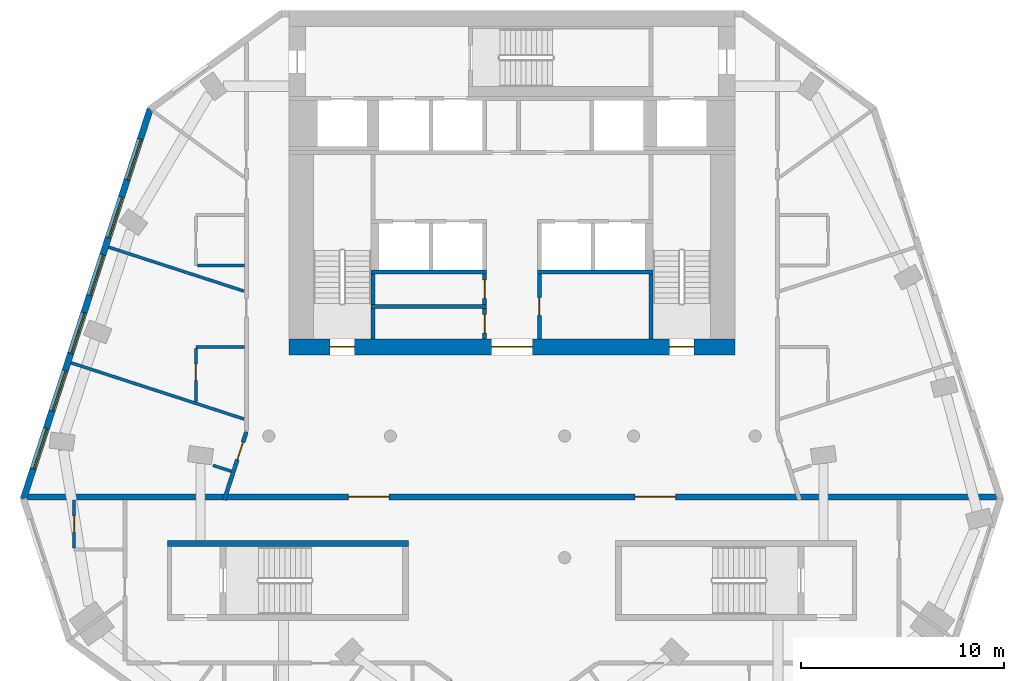
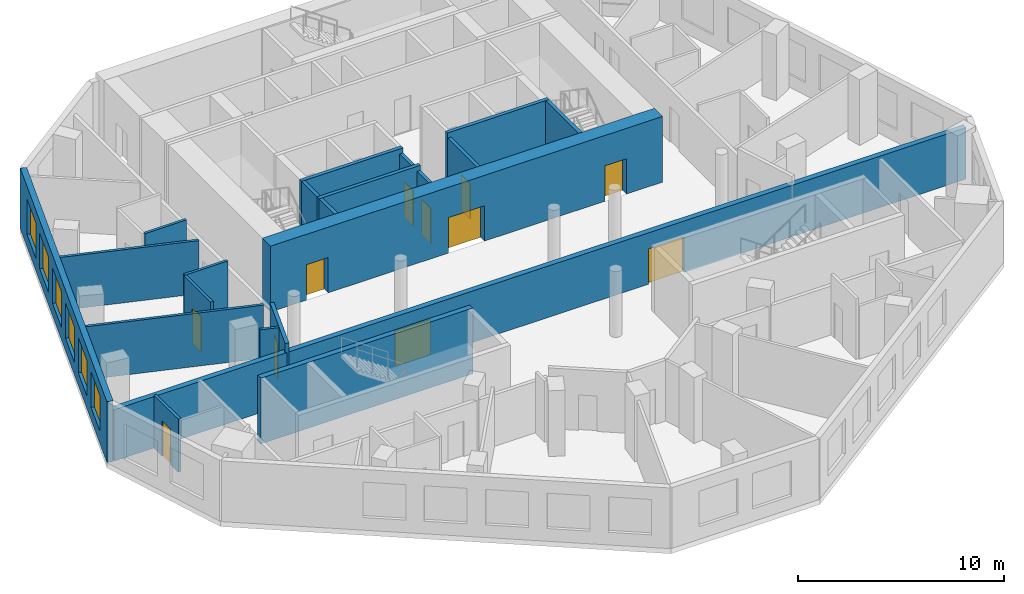
# One storey, part 3 of 9: 21 walls, 11 doors, 6 windows, 17 openings.
"""IFC4 building model written with IfcOpenShell, lengths in metres."""

from ifc_helpers import new_model, si_unit, direction, frame, frame_2d, origin, place, context, subcontext, project, spatial, rectangle, extrude, material, layer, layer_set, type_object, element, fill, save


model = new_model("IFC4")

# Units and contexts
model_context = context("Model", 3, precision=1e-05, world=origin(), true_north=direction((0.0, 1.0)))
body_context = subcontext(model_context, "Body", "Model", "MODEL_VIEW")
ifc_project = project(units=[si_unit("LENGTHUNIT", "METRE"), si_unit("AREAUNIT", "SQUARE_METRE"), si_unit("VOLUMEUNIT", "CUBIC_METRE"), si_unit("PLANEANGLEUNIT", "RADIAN"), si_unit("MASSUNIT", "GRAM", prefix="KILO")], contexts=[model_context])

# Site, building, storey
site_placement = place(None, origin())
site = spatial("IfcSite", under=ifc_project, at=site_placement, CompositionType="ELEMENT")
building_placement = place(site_placement, origin())
building = spatial("IfcBuilding", under=site, at=building_placement, Name="White Candle Pilgrim Tower", CompositionType="ELEMENT")
storey_placement = place(building_placement, frame((0.0, 0.0, 235.5)))
storey = spatial("IfcBuildingStorey", under=building, at=storey_placement, Name="L55", CompositionType="ELEMENT", Elevation=235.5)

# Wall, opening, door
ifc_material_1 = material(Name="Gypsum board on steel studs", Category="steel")
ifc_layer_1 = layer(ifc_material_1, 0.199951171875)
ifc_layer_set_1 = layer_set([ifc_layer_1], Name="Corridor wall 200 mm EI 45")
wall_type_1 = type_object("IfcWallType", Name="Corridor wall 200 mm EI 45", PredefinedType="PARTITIONING", material=ifc_layer_set_1)
wall_1_placement = place(storey_placement, frame((55.802978515625, 63.85009765625, 0.0), z_axis=(0.0, 0.0, 1.0), x_axis=(0.309026709141, 0.951053359721, 0.0)))
wall_1 = element("IfcWall", 1, at=wall_1_placement, inside=storey, type_object=wall_type_1, Name="WL-L55-P002", PredefinedType="PARTITIONING", context=body_context, shape_type="SweptSolid", body=[
    extrude(rectangle(XDim=3.53369140625, YDim=0.199951171875, at=frame_2d((1.766845703125, 0.0))), origin(), (0.0, 0.0, 1.0), 3.60009765625),
])
opening_1_placement = place(wall_1_placement, frame((2.091796875, 0.0, 0.0)))
opening_1 = element("IfcOpeningElement", 2, at=opening_1_placement, cuts=wall_1, Name="Opening T17-119", PredefinedType="OPENING", context=body_context, shape_type="SweptSolid", body=[
    extrude(rectangle(XDim=0.89990234375, YDim=2.10009765625, at=frame_2d((0.449951171875, 1.050048828125))), frame((0.0, 0.10986328125, 0.0), z_axis=(0.0, -1.0, 0.0), x_axis=(1.0, 0.0, 0.0)), (0.0, 0.0, 1.0), 0.219970703125),
])
ifc_material_2 = material(Name="Steel door leaf", Category="steel")
door_type_1 = type_object("IfcDoorType", Name="Fire door 900 x 2100 EI 30", OperationType="NOTDEFINED", PredefinedType="DOOR", material=ifc_material_2)
door_1_placement = place(opening_1_placement, origin())
door_1 = element("IfcDoor", 3, at=door_1_placement, inside=storey, type_object=door_type_1, Name="Door T17-119", OperationType="SINGLE_SWING_LEFT", OverallHeight=2.10009765625, OverallWidth=0.89990234375, PredefinedType="DOOR", context=body_context, shape_type="SweptSolid", body=[
    extrude(rectangle(XDim=0.89990234375, YDim=2.10009765625, at=frame_2d((0.449951171875, 1.050048828125))), frame((0.0, 0.02490234375, 0.0), z_axis=(0.0, -1.0, 0.0), x_axis=(1.0, 0.0, 0.0)), (0.0, 0.0, 1.0), 0.050048828125),
])
fill(opening_1, door_1)

# Wall, openings, windows
ifc_material_3 = material(Name="Precast concrete C40/50", Category="concrete")
ifc_layer_2 = layer(ifc_material_3, 0.320068359375)
ifc_layer_set_2 = layer_set([ifc_layer_2], Name="Facade wall EW1 precast concrete C40/50 pier wall with timber-lined reveals")
wall_type_2 = type_object("IfcWallType", Name="Facade wall EW1 precast concrete C40/50 pier wall with timber-lined reveals", PredefinedType="SOLIDWALL", material=ifc_layer_set_2)
wall_2_placement = place(storey_placement, frame((52.14453125, 83.138916015625, 0.0), z_axis=(0.0, 0.0, 1.0), x_axis=(-0.309017027312, -0.951056505593, 0.0)))
wall_2 = element("IfcWall", 4, at=wall_2_placement, inside=storey, type_object=wall_type_2, Name="Facade wall L55 WNW", PredefinedType="SOLIDWALL", context=body_context, shape_type="SweptSolid", body=[
    extrude(rectangle(XDim=20.228515625, YDim=0.320068359375, at=frame_2d((10.1142578125, 0.0))), origin(), (0.0, 0.0, 1.0), 3.60009765625),
])
opening_2_placement = place(wall_2_placement, frame((1.564453125, 0.0, 0.75)))
opening_2 = element("IfcOpeningElement", 5, at=opening_2_placement, cuts=wall_2, Name="Opening W3", PredefinedType="OPENING", context=body_context, shape_type="SweptSolid", body=[
    extrude(rectangle(XDim=2.10009765625, YDim=2.10009765625, at=frame_2d((1.050048828125, 1.050048828125))), frame((0.0, 0.169921875, 0.0), z_axis=(0.0, -1.0, 0.0), x_axis=(1.0, 0.0, 0.0)), (0.0, 0.0, 1.0), 0.340087890625),
])
opening_3_placement = place(wall_2_placement, frame((4.564453125, 0.0, 0.75)))
opening_3 = element("IfcOpeningElement", 6, at=opening_3_placement, cuts=wall_2, Name="Opening W3", PredefinedType="OPENING", context=body_context, shape_type="SweptSolid", body=[
    extrude(rectangle(XDim=2.10009765625, YDim=2.10009765625, at=frame_2d((1.050048828125, 1.050048828125))), frame((0.0, 0.169921875, 0.0), z_axis=(0.0, -1.0, 0.0), x_axis=(1.0, 0.0, 0.0)), (0.0, 0.0, 1.0), 0.340087890625),
])
opening_4_placement = place(wall_2_placement, frame((7.564453125, 0.0, 0.75)))
opening_4 = element("IfcOpeningElement", 7, at=opening_4_placement, cuts=wall_2, Name="Opening W3", PredefinedType="OPENING", context=body_context, shape_type="SweptSolid", body=[
    extrude(rectangle(XDim=2.10009765625, YDim=2.10009765625, at=frame_2d((1.050048828125, 1.050048828125))), frame((0.0, 0.169921875, 0.0), z_axis=(0.0, -1.0, 0.0), x_axis=(1.0, 0.0, 0.0)), (0.0, 0.0, 1.0), 0.340087890625),
])
opening_5_placement = place(wall_2_placement, frame((10.564453125, 0.0, 0.75)))
opening_5 = element("IfcOpeningElement", 8, at=opening_5_placement, cuts=wall_2, Name="Opening W3", PredefinedType="OPENING", context=body_context, shape_type="SweptSolid", body=[
    extrude(rectangle(XDim=2.10009765625, YDim=2.10009765625, at=frame_2d((1.050048828125, 1.050048828125))), frame((0.0, 0.169921875, 0.0), z_axis=(0.0, -1.0, 0.0), x_axis=(1.0, 0.0, 0.0)), (0.0, 0.0, 1.0), 0.340087890625),
])
opening_6_placement = place(wall_2_placement, frame((13.564453125, 0.0, 0.75)))
opening_6 = element("IfcOpeningElement", 9, at=opening_6_placement, cuts=wall_2, Name="Opening W3", PredefinedType="OPENING", context=body_context, shape_type="SweptSolid", body=[
    extrude(rectangle(XDim=2.10009765625, YDim=2.10009765625, at=frame_2d((1.050048828125, 1.050048828125))), frame((0.0, 0.169921875, 0.0), z_axis=(0.0, -1.0, 0.0), x_axis=(1.0, 0.0, 0.0)), (0.0, 0.0, 1.0), 0.340087890625),
])
opening_7_placement = place(wall_2_placement, frame((16.564453125, 0.0, 0.75)))
opening_7 = element("IfcOpeningElement", 10, at=opening_7_placement, cuts=wall_2, Name="Opening W3", PredefinedType="OPENING", context=body_context, shape_type="SweptSolid", body=[
    extrude(rectangle(XDim=2.10009765625, YDim=2.10009765625, at=frame_2d((1.050048828125, 1.050048828125))), frame((0.0, 0.169921875, 0.0), z_axis=(0.0, -1.0, 0.0), x_axis=(1.0, 0.0, 0.0)), (0.0, 0.0, 1.0), 0.340087890625),
])
ifc_material_4 = material(Name="Timber frame with triple glazing", Category="wood")
window_type = type_object("IfcWindowType", Name="Window W3 2100x2100 timber frame triple glazing", PartitioningType="SINGLE_PANEL", PredefinedType="WINDOW", material=ifc_material_4)
window_1_placement = place(opening_2_placement, origin())
window_1 = element("IfcWindow", 11, at=window_1_placement, inside=storey, type_object=window_type, Name="Window W3 L55 WNW 1", OverallHeight=2.10009765625, OverallWidth=2.10009765625, PartitioningType="SINGLE_PANEL", PredefinedType="WINDOW", context=body_context, shape_type="SweptSolid", body=[
    extrude(rectangle(XDim=2.10009765625, YDim=2.10009765625, at=frame_2d((1.050048828125, 1.050048828125))), frame((0.0, 0.070068359375, 0.0), z_axis=(0.0, -1.0, 0.0), x_axis=(1.0, 0.0, 0.0)), (0.0, 0.0, 1.0), 0.06005859375),
])
fill(opening_2, window_1)
window_2_placement = place(opening_3_placement, origin())
window_2 = element("IfcWindow", 12, at=window_2_placement, inside=storey, type_object=window_type, Name="Window W3 L55 WNW 2", OverallHeight=2.10009765625, OverallWidth=2.10009765625, PartitioningType="SINGLE_PANEL", PredefinedType="WINDOW", context=body_context, shape_type="SweptSolid", body=[
    extrude(rectangle(XDim=2.10009765625, YDim=2.10009765625, at=frame_2d((1.050048828125, 1.050048828125))), frame((0.0, 0.070068359375, 0.0), z_axis=(0.0, -1.0, 0.0), x_axis=(1.0, 0.0, 0.0)), (0.0, 0.0, 1.0), 0.06005859375),
])
fill(opening_3, window_2)
window_3_placement = place(opening_4_placement, origin())
window_3 = element("IfcWindow", 13, at=window_3_placement, inside=storey, type_object=window_type, Name="Window W3 L55 WNW 3", OverallHeight=2.10009765625, OverallWidth=2.10009765625, PartitioningType="SINGLE_PANEL", PredefinedType="WINDOW", context=body_context, shape_type="SweptSolid", body=[
    extrude(rectangle(XDim=2.10009765625, YDim=2.10009765625, at=frame_2d((1.050048828125, 1.050048828125))), frame((0.0, 0.070068359375, 0.0), z_axis=(0.0, -1.0, 0.0), x_axis=(1.0, 0.0, 0.0)), (0.0, 0.0, 1.0), 0.06005859375),
])
fill(opening_4, window_3)
window_4_placement = place(opening_5_placement, origin())
window_4 = element("IfcWindow", 14, at=window_4_placement, inside=storey, type_object=window_type, Name="Window W3 L55 WNW 4", OverallHeight=2.10009765625, OverallWidth=2.10009765625, PartitioningType="SINGLE_PANEL", PredefinedType="WINDOW", context=body_context, shape_type="SweptSolid", body=[
    extrude(rectangle(XDim=2.10009765625, YDim=2.10009765625, at=frame_2d((1.050048828125, 1.050048828125))), frame((0.0, 0.070068359375, 0.0), z_axis=(0.0, -1.0, 0.0), x_axis=(1.0, 0.0, 0.0)), (0.0, 0.0, 1.0), 0.06005859375),
])
fill(opening_5, window_4)
window_5_placement = place(opening_6_placement, origin())
window_5 = element("IfcWindow", 15, at=window_5_placement, inside=storey, type_object=window_type, Name="Window W3 L55 WNW 5", OverallHeight=2.10009765625, OverallWidth=2.10009765625, PartitioningType="SINGLE_PANEL", PredefinedType="WINDOW", context=body_context, shape_type="SweptSolid", body=[
    extrude(rectangle(XDim=2.10009765625, YDim=2.10009765625, at=frame_2d((1.050048828125, 1.050048828125))), frame((0.0, 0.070068359375, 0.0), z_axis=(0.0, -1.0, 0.0), x_axis=(1.0, 0.0, 0.0)), (0.0, 0.0, 1.0), 0.06005859375),
])
fill(opening_6, window_5)
window_6_placement = place(opening_7_placement, origin())
window_6 = element("IfcWindow", 16, at=window_6_placement, inside=storey, type_object=window_type, Name="Window W3 L55 WNW 6", OverallHeight=2.10009765625, OverallWidth=2.10009765625, PartitioningType="SINGLE_PANEL", PredefinedType="WINDOW", context=body_context, shape_type="SweptSolid", body=[
    extrude(rectangle(XDim=2.10009765625, YDim=2.10009765625, at=frame_2d((1.050048828125, 1.050048828125))), frame((0.0, 0.070068359375, 0.0), z_axis=(0.0, -1.0, 0.0), x_axis=(1.0, 0.0, 0.0)), (0.0, 0.0, 1.0), 0.06005859375),
])
fill(opening_7, window_6)

# Wall, openings, doors
ifc_material_5 = material(Name="Aerated concrete block", Category="concrete")
ifc_layer_3 = layer(ifc_material_5, 0.300048828125)
ifc_layer_set_3 = layer_set([ifc_layer_3], Name="Fire wall 300 mm REI 240")
wall_type_3 = type_object("IfcWallType", Name="Fire wall 300 mm REI 240", PredefinedType="PARTITIONING", material=ifc_layer_set_3)
wall_3_placement = place(storey_placement, frame((46.09423828125, 64.0, 0.0), z_axis=(0.0, 0.0, 1.0), x_axis=(1.0, 0.0, 0.0)))
wall_3 = element("IfcWall", 17, at=wall_3_placement, inside=storey, type_object=wall_type_3, Name="WL-L55-P001", PredefinedType="PARTITIONING", context=body_context, shape_type="SweptSolid", body=[
    extrude(rectangle(XDim=47.8115234375, YDim=0.300048828125, at=frame_2d((23.90576171875, 0.0))), origin(), (0.0, 0.0, 1.0), 3.050048828125),
])
opening_8_placement = place(wall_3_placement, frame((15.831787109375, 0.0, 0.0)))
opening_8 = element("IfcOpeningElement", 18, at=opening_8_placement, cuts=wall_3, Name="Opening T17-117", PredefinedType="OPENING", context=body_context, shape_type="SweptSolid", body=[
    extrude(rectangle(XDim=2.0, YDim=2.10009765625, at=frame_2d((1.0, 1.050048828125))), frame((0.0, 0.159912109375, 0.0), z_axis=(0.0, -1.0, 0.0), x_axis=(1.0, 0.0, 0.0)), (0.0, 0.0, 1.0), 0.320068359375),
])
opening_9_placement = place(wall_3_placement, frame((29.97998046875, 0.0, 0.0)))
opening_9 = element("IfcOpeningElement", 19, at=opening_9_placement, cuts=wall_3, Name="Opening T17-118", PredefinedType="OPENING", context=body_context, shape_type="SweptSolid", body=[
    extrude(rectangle(XDim=2.0, YDim=2.10009765625, at=frame_2d((1.0, 1.050048828125))), frame((0.0, 0.159912109375, 0.0), z_axis=(0.0, -1.0, 0.0), x_axis=(1.0, 0.0, 0.0)), (0.0, 0.0, 1.0), 0.320068359375),
])
door_type_2 = type_object("IfcDoorType", Name="Fire door 2000 x 2100 EI 60", OperationType="NOTDEFINED", PredefinedType="DOOR", material=ifc_material_2)
door_2_placement = place(opening_8_placement, origin())
door_2 = element("IfcDoor", 20, at=door_2_placement, inside=storey, type_object=door_type_2, Name="Door T17-117", OperationType="DOUBLE_DOOR_SINGLE_SWING", OverallHeight=2.10009765625, OverallWidth=2.0, PredefinedType="DOOR", context=body_context, shape_type="SweptSolid", body=[
    extrude(rectangle(XDim=2.0, YDim=2.10009765625, at=frame_2d((1.0, 1.050048828125))), frame((0.0, 0.02490234375, 0.0), z_axis=(0.0, -1.0, 0.0), x_axis=(1.0, 0.0, 0.0)), (0.0, 0.0, 1.0), 0.050048828125),
])
fill(opening_8, door_2)
door_3_placement = place(opening_9_placement, origin())
door_3 = element("IfcDoor", 21, at=door_3_placement, inside=storey, type_object=door_type_2, Name="Door T17-118", OperationType="DOUBLE_DOOR_SINGLE_SWING", OverallHeight=2.10009765625, OverallWidth=2.0, PredefinedType="DOOR", context=body_context, shape_type="SweptSolid", body=[
    extrude(rectangle(XDim=2.0, YDim=2.10009765625, at=frame_2d((1.0, 1.050048828125))), frame((0.0, 0.02490234375, 0.0), z_axis=(0.0, -1.0, 0.0), x_axis=(1.0, 0.0, 0.0)), (0.0, 0.0, 1.0), 0.050048828125),
])
fill(opening_9, door_3)

# Wall, opening, door
ifc_layer_4 = layer(ifc_material_1, 0.199951171875)
ifc_layer_set_4 = layer_set([ifc_layer_4], Name="Lobby wall 200 mm EI 60")
wall_type_4 = type_object("IfcWallType", Name="Lobby wall 200 mm EI 60", PredefinedType="PARTITIONING", material=ifc_layer_set_4)
wall_4_placement = place(storey_placement, frame((68.64990234375, 71.800048828125, 0.0), z_axis=(0.0, 0.0, 1.0), x_axis=(0.0, 1.0, 0.0)))
wall_4 = element("IfcWall", 22, at=wall_4_placement, inside=storey, type_object=wall_type_4, Name="WL-L55-C14", PredefinedType="PARTITIONING", context=body_context, shape_type="SweptSolid", body=[
    extrude(rectangle(XDim=1.5, YDim=0.199951171875, at=frame_2d((0.75, 0.0))), origin(), (0.0, 0.0, 1.0), 3.60009765625),
])
opening_10_placement = place(wall_4_placement, frame((0.300048828125, 0.0, 0.0)))
opening_10 = element("IfcOpeningElement", 23, at=opening_10_placement, cuts=wall_4, Name="Opening T17-005", PredefinedType="OPENING", context=body_context, shape_type="SweptSolid", body=[
    extrude(rectangle(XDim=0.89990234375, YDim=2.10009765625, at=frame_2d((0.449951171875, 1.050048828125))), frame((0.0, 0.10986328125, 0.0), z_axis=(0.0, -1.0, 0.0), x_axis=(1.0, 0.0, 0.0)), (0.0, 0.0, 1.0), 0.219970703125),
])
door_4_placement = place(opening_10_placement, origin())
door_4 = element("IfcDoor", 24, at=door_4_placement, inside=storey, type_object=door_type_1, Name="Door T17-005", OperationType="SINGLE_SWING_LEFT", OverallHeight=2.10009765625, OverallWidth=0.89990234375, PredefinedType="DOOR", context=body_context, shape_type="SweptSolid", body=[
    extrude(rectangle(XDim=0.89990234375, YDim=2.10009765625, at=frame_2d((0.449951171875, 1.050048828125))), frame((0.0, 0.02490234375, 0.0), z_axis=(0.0, -1.0, 0.0), x_axis=(1.0, 0.0, 0.0)), (0.0, 0.0, 1.0), 0.050048828125),
])
fill(opening_10, door_4)

wall_5_placement = place(storey_placement, frame((71.35009765625, 71.800048828125, 0.0), z_axis=(0.0, 0.0, 1.0), x_axis=(0.0, 1.0, 0.0)))
wall_5 = element("IfcWall", 25, at=wall_5_placement, inside=storey, type_object=wall_type_4, Name="WL-L55-C15", PredefinedType="PARTITIONING", context=body_context, shape_type="SweptSolid", body=[
    extrude(rectangle(XDim=3.199951171875, YDim=0.199951171875, at=frame_2d((1.60009765625, 0.0))), origin(), (0.0, 0.0, 1.0), 3.60009765625),
])
opening_11_placement = place(wall_5_placement, frame((1.14990234375, 0.0, 0.0)))
opening_11 = element("IfcOpeningElement", 26, at=opening_11_placement, cuts=wall_5, Name="Opening T17-007", PredefinedType="OPENING", context=body_context, shape_type="SweptSolid", body=[
    extrude(rectangle(XDim=0.89990234375, YDim=2.10009765625, at=frame_2d((0.449951171875, 1.050048828125))), frame((0.0, 0.10986328125, 0.0), z_axis=(0.0, -1.0, 0.0), x_axis=(1.0, 0.0, 0.0)), (0.0, 0.0, 1.0), 0.219970703125),
])
door_5_placement = place(opening_11_placement, origin())
door_5 = element("IfcDoor", 27, at=door_5_placement, inside=storey, type_object=door_type_1, Name="Door T17-007", OperationType="SINGLE_SWING_LEFT", OverallHeight=2.10009765625, OverallWidth=0.89990234375, PredefinedType="DOOR", context=body_context, shape_type="SweptSolid", body=[
    extrude(rectangle(XDim=0.89990234375, YDim=2.10009765625, at=frame_2d((0.449951171875, 1.050048828125))), frame((0.0, 0.02490234375, 0.0), z_axis=(0.0, -1.0, 0.0), x_axis=(1.0, 0.0, 0.0)), (0.0, 0.0, 1.0), 0.050048828125),
])
fill(opening_11, door_5)

wall_6_placement = place(storey_placement, frame((68.64990234375, 73.5, 0.0), z_axis=(0.0, 0.0, 1.0), x_axis=(0.0, 1.0, 0.0)))
wall_6 = element("IfcWall", 28, at=wall_6_placement, inside=storey, type_object=wall_type_4, Name="WL-L55-C20", PredefinedType="PARTITIONING", context=body_context, shape_type="SweptSolid", body=[
    extrude(rectangle(XDim=1.5, YDim=0.199951171875, at=frame_2d((0.75, 0.0))), origin(), (0.0, 0.0, 1.0), 3.60009765625),
])
opening_12_placement = place(wall_6_placement, frame((0.300048828125, 0.0, 0.0)))
opening_12 = element("IfcOpeningElement", 29, at=opening_12_placement, cuts=wall_6, Name="Opening T17-006", PredefinedType="OPENING", context=body_context, shape_type="SweptSolid", body=[
    extrude(rectangle(XDim=0.89990234375, YDim=2.10009765625, at=frame_2d((0.449951171875, 1.050048828125))), frame((0.0, 0.10986328125, 0.0), z_axis=(0.0, -1.0, 0.0), x_axis=(1.0, 0.0, 0.0)), (0.0, 0.0, 1.0), 0.219970703125),
])
door_6_placement = place(opening_12_placement, origin())
door_6 = element("IfcDoor", 30, at=door_6_placement, inside=storey, type_object=door_type_1, Name="Door T17-006", OperationType="SINGLE_SWING_RIGHT", OverallHeight=2.10009765625, OverallWidth=0.89990234375, PredefinedType="DOOR", context=body_context, shape_type="SweptSolid", body=[
    extrude(rectangle(XDim=0.89990234375, YDim=2.10009765625, at=frame_2d((0.449951171875, 1.050048828125))), frame((0.0, 0.02490234375, 0.0), z_axis=(0.0, -1.0, 0.0), x_axis=(1.0, 0.0, 0.0)), (0.0, 0.0, 1.0), 0.050048828125),
])
fill(opening_12, door_6)

# Walls
ifc_layer_5 = layer(ifc_material_1, 0.14990234375)
ifc_layer_set_5 = layer_set([ifc_layer_5], Name="Partition 150 mm EI 60")
wall_type_5 = type_object("IfcWallType", Name="Partition 150 mm EI 60", PredefinedType="PARTITIONING", material=ifc_layer_set_5)
wall_7_placement = place(storey_placement, frame((50.098388671875, 76.323486328125, 0.0), z_axis=(0.0, 0.0, 1.0), x_axis=(0.951058338022, -0.30901138762, 0.0)))
element("IfcWall", 31, at=wall_7_placement, inside=storey, type_object=wall_type_5, Name="WL-L55-P019", PredefinedType="PARTITIONING", context=body_context, shape_type="SweptSolid", body=[
    extrude(rectangle(XDim=7.022216796875, YDim=0.14990234375, at=frame_2d((3.51123046875, 0.0))), origin(), (0.0, 0.0, 1.0), 3.14990234375),
])
wall_8_placement = place(storey_placement, frame((48.244140625, 70.6171875, 0.0), z_axis=(0.0, 0.0, 1.0), x_axis=(0.951056063509, -0.309018387903, 0.0)))
element("IfcWall", 32, at=wall_8_placement, inside=storey, type_object=wall_type_5, Name="WL-L55-P020", PredefinedType="PARTITIONING", context=body_context, shape_type="SweptSolid", body=[
    extrude(rectangle(XDim=8.971923828125, YDim=0.14990234375, at=frame_2d((4.48583984375, 0.0))), origin(), (0.0, 0.0, 1.0), 3.14990234375),
])
wall_9_placement = place(storey_placement, frame((56.800048828125, 75.413330078125, 0.0), z_axis=(0.0, 0.0, 1.0), x_axis=(-1.0, 0.0, 0.0)))
element("IfcWall", 33, at=wall_9_placement, inside=storey, type_object=wall_type_5, Name="WL-L55-P023", PredefinedType="PARTITIONING", context=body_context, shape_type="SweptSolid", body=[
    extrude(rectangle(XDim=2.324951171875, YDim=0.14990234375, at=frame_2d((1.16259765625, 0.0))), origin(), (0.0, 0.0, 1.0), 3.60009765625),
])
wall_10_placement = place(storey_placement, frame((56.800048828125, 71.39990234375, 0.0), z_axis=(0.0, 0.0, 1.0), x_axis=(-1.0, 0.0, 0.0)))
element("IfcWall", 34, at=wall_10_placement, inside=storey, type_object=wall_type_5, Name="WL-L55-P024", PredefinedType="PARTITIONING", context=body_context, shape_type="SweptSolid", body=[
    extrude(rectangle(XDim=2.400146484375, YDim=0.14990234375, at=frame_2d((1.2001953125, 0.0))), origin(), (0.0, 0.0, 1.0), 3.60009765625),
])

# Wall, opening, door
wall_11_placement = place(storey_placement, frame((54.39990234375, 68.72021484375, 0.0), z_axis=(0.0, 0.0, 1.0), x_axis=(0.0, 1.0, 0.0)))
wall_11 = element("IfcWall", 35, at=wall_11_placement, inside=storey, type_object=wall_type_5, Name="WL-L55-P025", PredefinedType="PARTITIONING", context=body_context, shape_type="SweptSolid", body=[
    extrude(rectangle(XDim=2.604736328125, YDim=0.14990234375, at=frame_2d((1.30224609375, 0.0))), origin(), (0.0, 0.0, 1.0), 3.60009765625),
])
opening_13_placement = place(wall_11_placement, frame((1.02978515625, 0.0, 0.0)))
opening_13 = element("IfcOpeningElement", 36, at=opening_13_placement, cuts=wall_11, Name="Opening T17-102", PredefinedType="OPENING", context=body_context, shape_type="SweptSolid", body=[
    extrude(rectangle(XDim=0.800048828125, YDim=2.10009765625, at=frame_2d((0.39990234375, 1.050048828125))), frame((0.0, 0.0849609375, 0.0), z_axis=(0.0, -1.0, 0.0), x_axis=(1.0, 0.0, 0.0)), (0.0, 0.0, 1.0), 0.169921875),
])
door_type_3 = type_object("IfcDoorType", Name="Fire door 800 x 2100 EI 30", OperationType="NOTDEFINED", PredefinedType="DOOR", material=ifc_material_2)
door_7_placement = place(opening_13_placement, origin())
door_7 = element("IfcDoor", 37, at=door_7_placement, inside=storey, type_object=door_type_3, Name="Door T17-102", OperationType="SINGLE_SWING_RIGHT", OverallHeight=2.10009765625, OverallWidth=0.800048828125, PredefinedType="DOOR", context=body_context, shape_type="SweptSolid", body=[
    extrude(rectangle(XDim=0.800048828125, YDim=2.10009765625, at=frame_2d((0.39990234375, 1.050048828125))), frame((0.0, 0.02490234375, 0.0), z_axis=(0.0, -1.0, 0.0), x_axis=(1.0, 0.0, 0.0)), (0.0, 0.0, 1.0), 0.050048828125),
])
fill(opening_13, door_7)

wall_12_placement = place(storey_placement, frame((48.39990234375, 63.85009765625, 0.0), z_axis=(0.0, 0.0, 1.0), x_axis=(0.0, -1.0, 0.0)))
wall_12 = element("IfcWall", 38, at=wall_12_placement, inside=storey, type_object=wall_type_5, Name="WL-L55-P027", PredefinedType="PARTITIONING", context=body_context, shape_type="SweptSolid", body=[
    extrude(rectangle(XDim=2.374755859375, YDim=0.14990234375, at=frame_2d((1.1875, 0.0))), origin(), (0.0, 0.0, 1.0), 3.14990234375),
])
opening_14_placement = place(wall_12_placement, frame((0.799560546875, 0.0, 0.0)))
opening_14 = element("IfcOpeningElement", 39, at=opening_14_placement, cuts=wall_12, Name="Opening T17-103", PredefinedType="OPENING", context=body_context, shape_type="SweptSolid", body=[
    extrude(rectangle(XDim=0.800048828125, YDim=2.10009765625, at=frame_2d((0.39990234375, 1.050048828125))), frame((0.0, 0.0849609375, 0.0), z_axis=(0.0, -1.0, 0.0), x_axis=(1.0, 0.0, 0.0)), (0.0, 0.0, 1.0), 0.169921875),
])
door_8_placement = place(opening_14_placement, frame((0.800048828125, 0.0, 0.0), z_axis=(0.0, 0.0, 1.0), x_axis=(-1.0, 0.0, 0.0)))
door_8 = element("IfcDoor", 40, at=door_8_placement, inside=storey, type_object=door_type_3, Name="Door T17-103", OperationType="SINGLE_SWING_RIGHT", OverallHeight=2.10009765625, OverallWidth=0.800048828125, PredefinedType="DOOR", context=body_context, shape_type="SweptSolid", body=[
    extrude(rectangle(XDim=0.800048828125, YDim=2.10009765625, at=frame_2d((0.39990234375, 1.050048828125))), frame((0.0, 0.02490234375, 0.0), z_axis=(0.0, -1.0, 0.0), x_axis=(1.0, 0.0, 0.0)), (0.0, 0.0, 1.0), 0.050048828125),
])
fill(opening_14, door_8)

# Walls
wall_13_placement = place(storey_placement, frame((55.2568359375, 65.55517578125, 0.0), z_axis=(0.0, 0.0, 1.0), x_axis=(0.951054918228, -0.309021912676, 0.0)))
element("IfcWall", 41, at=wall_13_placement, inside=storey, type_object=wall_type_5, Name="WL-L55-P047", PredefinedType="PARTITIONING", context=body_context, shape_type="SweptSolid", body=[
    extrude(rectangle(XDim=0.946533203125, YDim=0.14990234375, at=frame_2d((0.47314453125, 0.0))), origin(), (0.0, 0.0, 1.0), 3.60009765625),
])
ifc_material_6 = material(Name="Concrete C50/60", Category="concrete")
ifc_layer_6 = layer(ifc_material_6, 0.199951171875)
ifc_layer_set_6 = layer_set([ifc_layer_6], Name="Stair shaft wall 200 mm Concrete C50/60")
wall_type_6 = type_object("IfcWallType", Name="Stair shaft wall 200 mm Concrete C50/60", PredefinedType="SHEAR", material=ifc_layer_set_6)
wall_14_placement = place(storey_placement, frame((63.14990234375, 71.800048828125, 0.0), z_axis=(0.0, 0.0, 1.0), x_axis=(0.0, 1.0, 0.0)))
element("IfcWall", 42, at=wall_14_placement, inside=storey, type_object=wall_type_6, Name="WL-L55-C13", PredefinedType="SHEAR", context=body_context, shape_type="SweptSolid", body=[
    extrude(rectangle(XDim=1.5, YDim=0.199951171875, at=frame_2d((0.75, 0.0))), origin(), (0.0, 0.0, 1.0), 3.89990234375),
])
wall_15_placement = place(storey_placement, frame((76.85009765625, 71.800048828125, 0.0), z_axis=(0.0, 0.0, 1.0), x_axis=(0.0, 1.0, 0.0)))
element("IfcWall", 43, at=wall_15_placement, inside=storey, type_object=wall_type_6, Name="WL-L55-C16", PredefinedType="SHEAR", context=body_context, shape_type="SweptSolid", body=[
    extrude(rectangle(XDim=3.199951171875, YDim=0.199951171875, at=frame_2d((1.60009765625, 0.0))), origin(), (0.0, 0.0, 1.0), 3.89990234375),
])
wall_16_placement = place(storey_placement, frame((63.050048828125, 73.39990234375, 0.0), z_axis=(0.0, 0.0, 1.0), x_axis=(1.0, 0.0, 0.0)))
element("IfcWall", 44, at=wall_16_placement, inside=storey, type_object=wall_type_6, Name="WL-L55-C18", PredefinedType="SHEAR", context=body_context, shape_type="SweptSolid", body=[
    extrude(rectangle(XDim=5.699951171875, YDim=0.199951171875, at=frame_2d((2.85009765625, 0.0))), origin(), (0.0, 0.0, 1.0), 3.89990234375),
])
wall_17_placement = place(storey_placement, frame((63.14990234375, 73.5, 0.0), z_axis=(0.0, 0.0, 1.0), x_axis=(0.0, 1.0, 0.0)))
element("IfcWall", 45, at=wall_17_placement, inside=storey, type_object=wall_type_6, Name="WL-L55-C19", PredefinedType="SHEAR", context=body_context, shape_type="SweptSolid", body=[
    extrude(rectangle(XDim=1.5, YDim=0.199951171875, at=frame_2d((0.75, 0.0))), origin(), (0.0, 0.0, 1.0), 3.89990234375),
])
for number, where, z_axis, x_axis, name in (
    (46, (63.050048828125, 75.10009765625, 0.0), (0.0, 0.0, 1.0), (1.0, 0.0, 0.0), "WL-L55-C21"),
    (47, (71.25, 75.10009765625, 0.0), (0.0, 0.0, 1.0), (1.0, 0.0, 0.0), "WL-L55-C22"),
):
    element("IfcWall", number, at=place(storey_placement, frame(where, z_axis=z_axis, x_axis=x_axis)), inside=storey, type_object=wall_type_6, Name=name, PredefinedType="SHEAR", context=body_context, shape_type="SweptSolid", body=[
        extrude(rectangle(XDim=5.699951171875, YDim=0.199951171875, at=frame_2d((2.85009765625, 0.0))), origin(), (0.0, 0.0, 1.0), 3.89990234375),
    ])
ifc_layer_7 = layer(ifc_material_6, 0.300048828125)
ifc_layer_set_7 = layer_set([ifc_layer_7], Name="Stair shaft wall 300 mm Concrete C50/60")
wall_type_7 = type_object("IfcWallType", Name="Stair shaft wall 300 mm Concrete C50/60", PredefinedType="SHEAR", material=ifc_layer_set_7)
wall_18_placement = place(storey_placement, frame((53.0, 61.699951171875, 0.0), z_axis=(0.0, 0.0, 1.0), x_axis=(1.0, 0.0, 0.0)))
element("IfcWall", 48, at=wall_18_placement, inside=storey, type_object=wall_type_7, Name="WL-L55-C09", PredefinedType="SHEAR", context=body_context, shape_type="SweptSolid", body=[
    extrude(rectangle(XDim=11.89990234375, YDim=0.300048828125, at=frame_2d((5.949951171875, 0.0))), origin(), (0.0, 0.0, 1.0), 3.89990234375),
])

# Wall, openings, doors
ifc_layer_8 = layer(ifc_material_6, 0.800048828125)
ifc_layer_set_8 = layer_set([ifc_layer_8], Name="Stair shaft wall 800 mm Concrete C50/60")
wall_type_8 = type_object("IfcWallType", Name="Stair shaft wall 800 mm Concrete C50/60", PredefinedType="SHEAR", material=ifc_layer_set_8)
wall_19_placement = place(storey_placement, frame((59.0, 71.39990234375, 0.0), z_axis=(0.0, 0.0, 1.0), x_axis=(1.0, 0.0, 0.0)))
wall_19 = element("IfcWall", 49, at=wall_19_placement, inside=storey, type_object=wall_type_8, Name="WL-L55-C11", PredefinedType="SHEAR", context=body_context, shape_type="SweptSolid", body=[
    extrude(rectangle(XDim=22.0, YDim=0.800048828125, at=frame_2d((11.0, 0.0))), origin(), (0.0, 0.0, 1.0), 3.89990234375),
])
opening_15_placement = place(wall_19_placement, frame((2.02490234375, 0.0, 0.0)))
opening_15 = element("IfcOpeningElement", 50, at=opening_15_placement, cuts=wall_19, Name="Opening T17-001", PredefinedType="OPENING", context=body_context, shape_type="SweptSolid", body=[
    extrude(rectangle(XDim=1.199951171875, YDim=2.10009765625, at=frame_2d((0.60009765625, 1.050048828125))), frame((0.0, 0.409912109375, 0.0), z_axis=(0.0, -1.0, 0.0), x_axis=(1.0, 0.0, 0.0)), (0.0, 0.0, 1.0), 0.820068359375),
])
opening_16_placement = place(wall_19_placement, frame((18.77490234375, 0.0, 0.0)))
opening_16 = element("IfcOpeningElement", 51, at=opening_16_placement, cuts=wall_19, Name="Opening T17-002", PredefinedType="OPENING", context=body_context, shape_type="SweptSolid", body=[
    extrude(rectangle(XDim=1.199951171875, YDim=2.10009765625, at=frame_2d((0.60009765625, 1.050048828125))), frame((0.0, 0.409912109375, 0.0), z_axis=(0.0, -1.0, 0.0), x_axis=(1.0, 0.0, 0.0)), (0.0, 0.0, 1.0), 0.820068359375),
])
opening_17_placement = place(wall_19_placement, frame((10.0, 0.0, 0.0)))
opening_17 = element("IfcOpeningElement", 52, at=opening_17_placement, cuts=wall_19, Name="Opening T17-004", PredefinedType="OPENING", context=body_context, shape_type="SweptSolid", body=[
    extrude(rectangle(XDim=2.0, YDim=2.10009765625, at=frame_2d((1.0, 1.050048828125))), frame((0.0, 0.409912109375, 0.0), z_axis=(0.0, -1.0, 0.0), x_axis=(1.0, 0.0, 0.0)), (0.0, 0.0, 1.0), 0.820068359375),
])
door_type_4 = type_object("IfcDoorType", Name="Fire door 1200 x 2100 EI 60", OperationType="NOTDEFINED", PredefinedType="DOOR", material=ifc_material_2)
door_9_placement = place(opening_15_placement, frame((1.199951171875, 0.0, 0.0), z_axis=(0.0, 0.0, 1.0), x_axis=(-1.0, 0.0, 0.0)))
door_9 = element("IfcDoor", 53, at=door_9_placement, inside=storey, type_object=door_type_4, Name="Door T17-001", OperationType="SINGLE_SWING_RIGHT", OverallHeight=2.10009765625, OverallWidth=1.199951171875, PredefinedType="DOOR", context=body_context, shape_type="SweptSolid", body=[
    extrude(rectangle(XDim=1.199951171875, YDim=2.10009765625, at=frame_2d((0.60009765625, 1.050048828125))), frame((0.0, 0.02490234375, 0.0), z_axis=(0.0, -1.0, 0.0), x_axis=(1.0, 0.0, 0.0)), (0.0, 0.0, 1.0), 0.050048828125),
])
fill(opening_15, door_9)
door_10_placement = place(opening_16_placement, frame((1.199951171875, 0.0, 0.0), z_axis=(0.0, 0.0, 1.0), x_axis=(-1.0, 0.0, 0.0)))
door_10 = element("IfcDoor", 54, at=door_10_placement, inside=storey, type_object=door_type_4, Name="Door T17-002", OperationType="SINGLE_SWING_LEFT", OverallHeight=2.10009765625, OverallWidth=1.199951171875, PredefinedType="DOOR", context=body_context, shape_type="SweptSolid", body=[
    extrude(rectangle(XDim=1.199951171875, YDim=2.10009765625, at=frame_2d((0.60009765625, 1.050048828125))), frame((0.0, 0.02490234375, 0.0), z_axis=(0.0, -1.0, 0.0), x_axis=(1.0, 0.0, 0.0)), (0.0, 0.0, 1.0), 0.050048828125),
])
fill(opening_16, door_10)
door_11_placement = place(opening_17_placement, frame((2.0, 0.0, 0.0), z_axis=(0.0, 0.0, 1.0), x_axis=(-1.0, 0.0, 0.0)))
door_11 = element("IfcDoor", 55, at=door_11_placement, inside=storey, type_object=door_type_2, Name="Door T17-004", OperationType="DOUBLE_DOOR_SINGLE_SWING", OverallHeight=2.10009765625, OverallWidth=2.0, PredefinedType="DOOR", context=body_context, shape_type="SweptSolid", body=[
    extrude(rectangle(XDim=2.0, YDim=2.10009765625, at=frame_2d((1.0, 1.050048828125))), frame((0.0, 0.02490234375, 0.0), z_axis=(0.0, -1.0, 0.0), x_axis=(1.0, 0.0, 0.0)), (0.0, 0.0, 1.0), 0.050048828125),
])
fill(opening_17, door_11)

save(model, "model.ifc")
